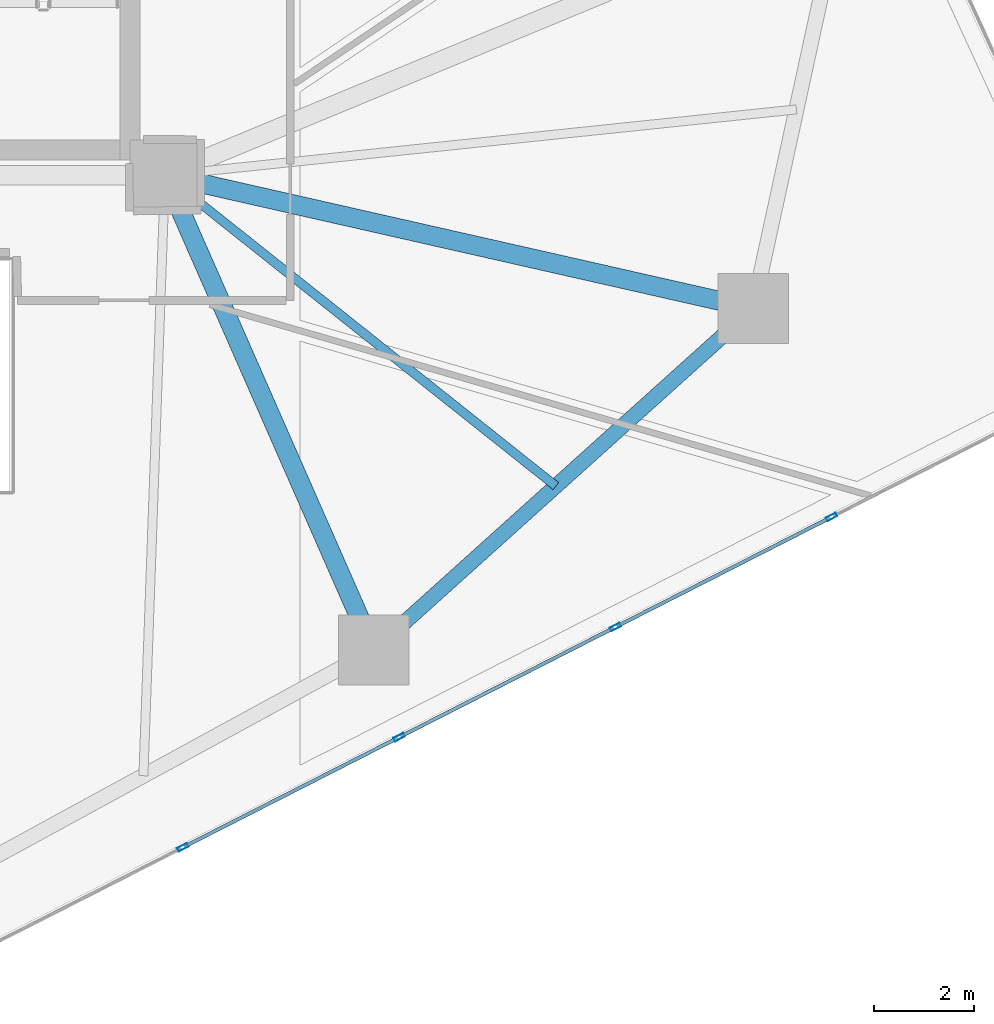
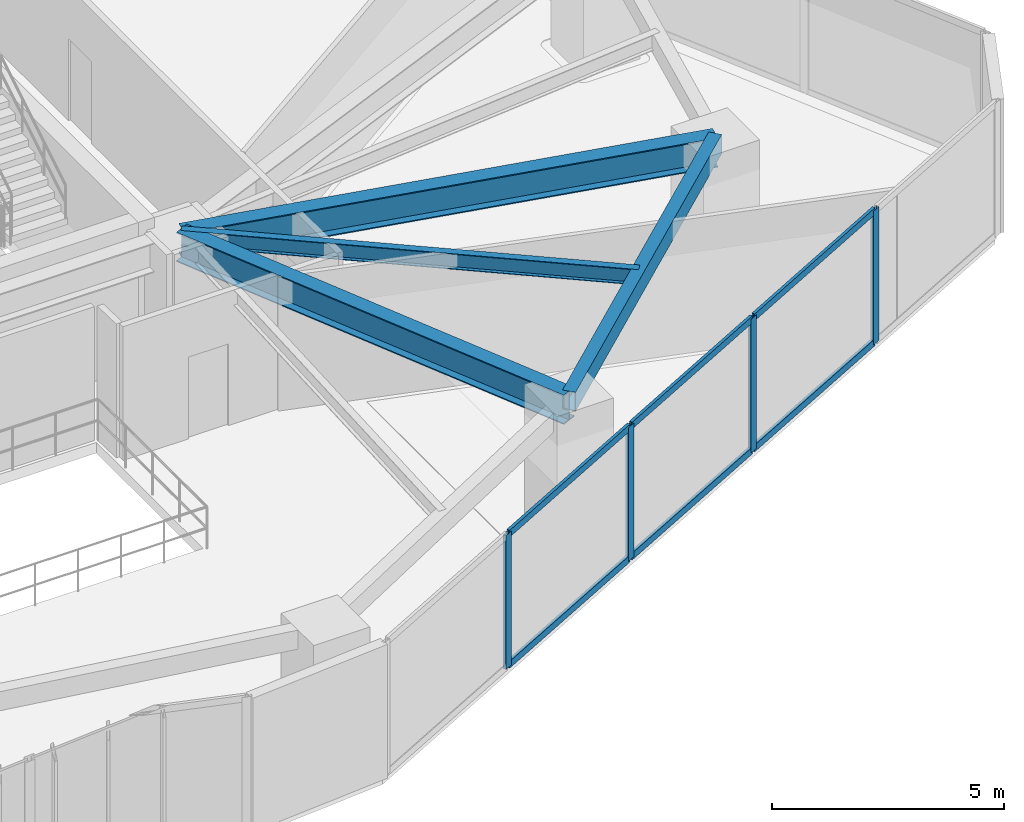
# One storey, part 10 of 24: 10 members, 4 beams, 1 element without a shape of its own.
"""IFC4 building model written with IfcOpenShell, lengths in metres."""

from ifc_helpers import new_model, si_unit, direction, frame, origin, origin_2d, place, context, subcontext, project, spatial, hollow_rectangle, i_section, extrude, source, transform, mapped, material, layer, layer_set, material_profile, profile_set, type_object, type_shapes, element, aggregate, save


model = new_model("IFC4")

# Units and contexts
model_context = context("Model", 3, precision=1e-05, world=origin(), true_north=direction((0.0, 1.0)))
body_context = subcontext(model_context, "Body", "Model", "MODEL_VIEW")
ifc_project = project(units=[si_unit("LENGTHUNIT", "METRE"), si_unit("AREAUNIT", "SQUARE_METRE"), si_unit("VOLUMEUNIT", "CUBIC_METRE"), si_unit("PLANEANGLEUNIT", "RADIAN"), si_unit("MASSUNIT", "GRAM", prefix="KILO")], contexts=[model_context])

# Site, building, storey
site_placement = place(None, origin())
site = spatial("IfcSite", under=ifc_project, at=site_placement, CompositionType="ELEMENT")
building_placement = place(site_placement, origin())
building = spatial("IfcBuilding", under=site, at=building_placement, Name="Talar Marvaseh", CompositionType="ELEMENT")
storey_placement = place(building_placement, frame((0.0, 0.0, 39.199951171875)))
storey = spatial("IfcBuildingStorey", under=building, at=storey_placement, Name="L09", CompositionType="ELEMENT", Elevation=39.199951171875)

# Beams
ifc_material_1 = material(Name="Steel S355", Category="steel")
ifc_material_profile_1 = material_profile(ifc_material_1, hollow_rectangle(XDim=0.300048828125, YDim=0.5, WallThickness=0.02001953125, at=origin_2d()), Name="RHS500x300x20")
ifc_profile_set_1 = profile_set([ifc_material_profile_1], Name="Steel S355")
beam_type_1 = type_object("IfcBeamType", Name="Zone 1 Perimeter Spandrel Beam RHS500x300x20", PredefinedType="SPANDREL", material=ifc_profile_set_1)
beam_1_placement = place(storey_placement, frame((45.0439453125, 22.840087890625, 3.27001953125), z_axis=(-0.743257224494, -0.669005753516, 0.0), x_axis=(0.669005753516, -0.743257224494, 0.0)))
element("IfcBeam", 1, at=beam_1_placement, inside=storey, type_object=beam_type_1, Name="L09 Zone 1 Perimeter Spandrel Beam RHS500x300x20", PredefinedType="SPANDREL", context=body_context, shape_type="SweptSolid", body=[
    extrude(hollow_rectangle(XDim=0.300048828125, YDim=0.5, WallThickness=0.02001953125, at=origin_2d()), origin(), (0.0, 0.0, 1.0), 10.19287109375),
])
ifc_material_profile_2 = material_profile(ifc_material_1, i_section(OverallWidth=0.381103515625, OverallDepth=0.77294921875, WebThickness=0.0166015625, FlangeThickness=0.027099609375, at=origin_2d()), Name="W760x257")
ifc_profile_set_2 = profile_set([ifc_material_profile_2], Name="Steel S355")
beam_type_2 = type_object("IfcBeamType", Name="Zone 1 Radial Floor Girder W760x257", PredefinedType="BEAM", material=ifc_profile_set_2)
beam_2_placement = place(storey_placement, frame((45.0439453125, 22.840087890625, 3.133544921875), z_axis=(-0.975296900374, 0.220898067263, 0.0), x_axis=(-0.220898067263, -0.975296900374, 0.0)))
element("IfcBeam", 2, at=beam_2_placement, inside=storey, type_object=beam_type_2, Name="L09 Zone 1 Radial Floor Girder W760x257", PredefinedType="BEAM", context=body_context, shape_type="SweptSolid", body=[
    extrude(i_section(OverallWidth=0.381103515625, OverallDepth=0.77294921875, WebThickness=0.0166015625, FlangeThickness=0.027099609375, at=origin_2d()), origin(), (0.0, 0.0, 1.0), 12.041259765625),
])
beam_3_placement = place(storey_placement, frame((37.468017578125, 16.02099609375, 3.133544921875), z_axis=(-0.402512625991, 0.915414433969, 0.0), x_axis=(-0.915414433969, -0.402512625991, 0.0)))
element("IfcBeam", 3, at=beam_3_placement, inside=storey, type_object=beam_type_2, Name="L09 Zone 1 Radial Floor Girder W760x257", PredefinedType="BEAM", context=body_context, shape_type="SweptSolid", body=[
    extrude(i_section(OverallWidth=0.381103515625, OverallDepth=0.77294921875, WebThickness=0.0166015625, FlangeThickness=0.027099609375, at=origin_2d()), origin(), (0.0, 0.0, 1.0), 10.35498046875),
])
ifc_material_profile_3 = material_profile(ifc_material_1, i_section(OverallWidth=0.179931640625, OverallDepth=0.4130859375, WebThickness=0.009765625, FlangeThickness=0.01611328125, at=origin_2d()), Name="W410x75")
ifc_profile_set_3 = profile_set([ifc_material_profile_3], Name="Steel S355")
beam_type_3 = type_object("IfcBeamType", Name="Zone 1 Secondary Floor Joist W410x75", PredefinedType="JOIST", material=ifc_profile_set_3)
beam_4_placement = place(storey_placement, frame((41.1044921875, 19.294189453125, 3.3134765625), z_axis=(-0.782711925261, 0.622384159546, 0.0), x_axis=(-0.622384159546, -0.782711925261, 0.0)))
element("IfcBeam", 4, at=beam_4_placement, inside=storey, type_object=beam_type_3, Name="L09 Zone 1 Secondary Floor Joist W410x75", PredefinedType="JOIST", context=body_context, shape_type="SweptSolid", body=[
    extrude(i_section(OverallWidth=0.179931640625, OverallDepth=0.4130859375, WebThickness=0.009765625, FlangeThickness=0.01611328125, at=origin_2d()), origin(), (0.0, 0.0, 1.0), 9.970947265625),
])

# Curtain wall, members
ifc_material_2 = material(Name="Architectural Aluminium", Category="aluminium")
ifc_layer = layer(ifc_material_2, 0.219970703125)
ifc_layer_set = layer_set([ifc_layer], Name="Architectural Aluminium")
curtain_wall_type = type_object("IfcCurtainWallType", Name="Unitised Low-E Museum Curtain Wall Z1", PredefinedType="NOTDEFINED", material=ifc_layer_set)
curtain_wall_placement = place(storey_placement, origin())
curtain_wall = element("IfcCurtainWall", 5, at=curtain_wall_placement, inside=storey, type_object=curtain_wall_type, Name="L09 Unitised Low-E Museum Curtain Wall Z1", PredefinedType="NOTDEFINED")
ifc_material_profile_4 = material_profile(ifc_material_2, hollow_rectangle(XDim=0.080078125, YDim=0.219970703125, WallThickness=0.0048828125, at=origin_2d()), Name="RHS220x80x5")
ifc_profile_set_4 = profile_set([ifc_material_profile_4], Name="Architectural Aluminium")
member_type_1 = type_object("IfcMemberType", Name="Unitised Curtain Wall Heavy Mullion RHS220x80x5", PredefinedType="MULLION", material=ifc_profile_set_4)
shared_shape_1 = source(origin(), body_context, "Body", "SweptSolid", [
    extrude(hollow_rectangle(XDim=0.080078125, YDim=0.219970703125, WallThickness=0.0048828125, at=origin_2d()), origin(), (0.0, 0.0, 1.0), 3.52001953125),
])
type_shapes(member_type_1, [shared_shape_1])
member_1_placement = place(storey_placement, frame((46.60888671875, 18.678466796875, 0.0), z_axis=(0.0, 0.0, 1.0), x_axis=(0.453850095655, -0.891078049709, 0.0)))
member_1 = element("IfcMember", 6, at=member_1_placement, type_object=member_type_1, Name="CW-Z1 mullion 2", PredefinedType="MULLION", context=body_context, shape_type="MappedRepresentation", body=[
    mapped(shared_shape_1, transform((0.0, 0.0, 0.0), x_axis=(1.0, 0.0, 0.0), y_axis=(0.0, 1.0, 0.0), z_axis=(0.0, 0.0, 1.0), scale=1.0)),
])
member_2_placement = place(storey_placement, frame((42.291259765625, 16.4794921875, 0.0), z_axis=(0.0, 0.0, 1.0), x_axis=(0.453850095655, -0.891078049709, 0.0)))
member_2 = element("IfcMember", 7, at=member_2_placement, type_object=member_type_1, Name="CW-Z1 mullion 3", PredefinedType="MULLION", context=body_context, shape_type="MappedRepresentation", body=[
    mapped(shared_shape_1, transform((0.0, 0.0, 0.0), x_axis=(1.0, 0.0, 0.0), y_axis=(0.0, 1.0, 0.0), z_axis=(0.0, 0.0, 1.0), scale=1.0)),
])
member_3_placement = place(storey_placement, frame((37.973876953125, 14.280517578125, 0.0), z_axis=(0.0, 0.0, 1.0), x_axis=(0.453850095655, -0.891078049709, 0.0)))
member_3 = element("IfcMember", 8, at=member_3_placement, type_object=member_type_1, Name="CW-Z1 mullion 4", PredefinedType="MULLION", context=body_context, shape_type="MappedRepresentation", body=[
    mapped(shared_shape_1, transform((0.0, 0.0, 0.0), x_axis=(1.0, 0.0, 0.0), y_axis=(0.0, 1.0, 0.0), z_axis=(0.0, 0.0, 1.0), scale=1.0)),
])
member_4_placement = place(storey_placement, frame((33.65625, 12.081298828125, 0.0), z_axis=(0.0, 0.0, 1.0), x_axis=(0.453850095655, -0.891078049709, 0.0)))
member_4 = element("IfcMember", 9, at=member_4_placement, type_object=member_type_1, Name="CW-Z1 mullion 5", PredefinedType="MULLION", context=body_context, shape_type="MappedRepresentation", body=[
    mapped(shared_shape_1, transform((0.0, 0.0, 0.0), x_axis=(1.0, 0.0, 0.0), y_axis=(0.0, 1.0, 0.0), z_axis=(0.0, 0.0, 1.0), scale=1.0)),
])
ifc_material_profile_5 = material_profile(ifc_material_2, hollow_rectangle(XDim=0.074951171875, YDim=0.179931640625, WallThickness=0.0048828125, at=origin_2d()), Name="RHS180x75x5")
ifc_profile_set_5 = profile_set([ifc_material_profile_5], Name="Architectural Aluminium")
member_type_2 = type_object("IfcMemberType", Name="Unitised Curtain Wall Transom RHS180x75x5", PredefinedType="USERDEFINED", material=ifc_profile_set_5)
shared_shape_2 = source(origin(), body_context, "Body", "SweptSolid", [
    extrude(hollow_rectangle(XDim=0.074951171875, YDim=0.179931640625, WallThickness=0.0048828125, at=origin_2d()), origin(), (0.0, 0.0, 1.0), 4.765380859375),
])
member_5_placement = place(storey_placement, frame((46.5732421875, 18.660400390625, 0.03759765625), z_axis=(-0.89107233608, -0.453861313479, 0.0), x_axis=(0.453861313479, -0.89107233608, 0.0)))
member_5 = element("IfcMember", 10, at=member_5_placement, type_object=member_type_2, Name="CW-Z1 transom 2.1", ObjectType="TRANSOM", PredefinedType="USERDEFINED", context=body_context, shape_type="MappedRepresentation", body=[
    mapped(shared_shape_2, transform((0.0, 0.0, 0.0), x_axis=(1.0, 0.0, 0.0), y_axis=(0.0, 1.0, 0.0), z_axis=(0.0, 0.0, 1.0), scale=1.0)),
])
member_6_placement = place(storey_placement, frame((46.5732421875, 18.660400390625, 3.482666015625), z_axis=(-0.89107233608, -0.453861313479, 0.0), x_axis=(0.453861313479, -0.89107233608, 0.0)))
member_6 = element("IfcMember", 11, at=member_6_placement, type_object=member_type_2, Name="CW-Z1 transom 2.2", ObjectType="TRANSOM", PredefinedType="USERDEFINED", context=body_context, shape_type="MappedRepresentation", body=[
    mapped(shared_shape_2, transform((0.0, 0.0, 0.0), x_axis=(1.0, 0.0, 0.0), y_axis=(0.0, 1.0, 0.0), z_axis=(0.0, 0.0, 1.0), scale=1.0)),
])
member_7_placement = place(storey_placement, frame((37.938232421875, 14.26220703125, 0.03759765625), z_axis=(-0.89109305491, -0.453820633611, 0.0), x_axis=(0.453820633611, -0.89109305491, 0.0)))
member_7 = element("IfcMember", 12, at=member_7_placement, type_object=member_type_2, Name="CW-Z1 transom 4.1", ObjectType="TRANSOM", PredefinedType="USERDEFINED", context=body_context, shape_type="MappedRepresentation", body=[
    mapped(shared_shape_2, transform((0.0, 0.0, 0.0), x_axis=(1.0, 0.0, 0.0), y_axis=(0.0, 1.0, 0.0), z_axis=(0.0, 0.0, 1.0), scale=1.0)),
])
member_8_placement = place(storey_placement, frame((37.938232421875, 14.26220703125, 3.482666015625), z_axis=(-0.89109305491, -0.453820633611, 0.0), x_axis=(0.453820633611, -0.89109305491, 0.0)))
member_8 = element("IfcMember", 13, at=member_8_placement, type_object=member_type_2, Name="CW-Z1 transom 4.2", ObjectType="TRANSOM", PredefinedType="USERDEFINED", context=body_context, shape_type="MappedRepresentation", body=[
    mapped(shared_shape_2, transform((0.0, 0.0, 0.0), x_axis=(1.0, 0.0, 0.0), y_axis=(0.0, 1.0, 0.0), z_axis=(0.0, 0.0, 1.0), scale=1.0)),
])
shared_shape_3 = source(origin(), body_context, "Body", "SweptSolid", [
    extrude(hollow_rectangle(XDim=0.074951171875, YDim=0.179931640625, WallThickness=0.0048828125, at=origin_2d()), origin(), (0.0, 0.0, 1.0), 4.76513671875),
])
type_shapes(member_type_2, [shared_shape_2, shared_shape_3])
member_9_placement = place(storey_placement, frame((42.255615234375, 16.46142578125, 0.03759765625), z_axis=(-0.891061782142, -0.453882033579, 0.0), x_axis=(0.453882033579, -0.891061782142, 0.0)))
member_9 = element("IfcMember", 14, at=member_9_placement, type_object=member_type_2, Name="CW-Z1 transom 3.1", ObjectType="TRANSOM", PredefinedType="USERDEFINED", context=body_context, shape_type="MappedRepresentation", body=[
    mapped(shared_shape_3, transform((0.0, 0.0, 0.0), x_axis=(1.0, 0.0, 0.0), y_axis=(0.0, 1.0, 0.0), z_axis=(0.0, 0.0, 1.0), scale=1.0)),
])
member_10_placement = place(storey_placement, frame((42.255615234375, 16.46142578125, 3.482666015625), z_axis=(-0.891061782142, -0.453882033579, 0.0), x_axis=(0.453882033579, -0.891061782142, 0.0)))
member_10 = element("IfcMember", 15, at=member_10_placement, type_object=member_type_2, Name="CW-Z1 transom 3.2", ObjectType="TRANSOM", PredefinedType="USERDEFINED", context=body_context, shape_type="MappedRepresentation", body=[
    mapped(shared_shape_3, transform((0.0, 0.0, 0.0), x_axis=(1.0, 0.0, 0.0), y_axis=(0.0, 1.0, 0.0), z_axis=(0.0, 0.0, 1.0), scale=1.0)),
])
aggregate(curtain_wall, [member_1, member_2, member_3, member_4, member_5, member_6, member_9, member_10, member_7, member_8])

save(model, "model.ifc")
